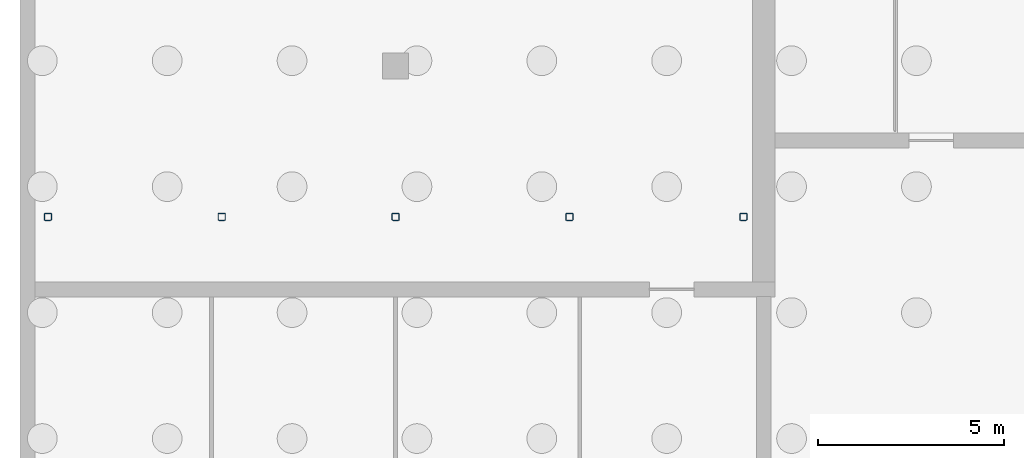
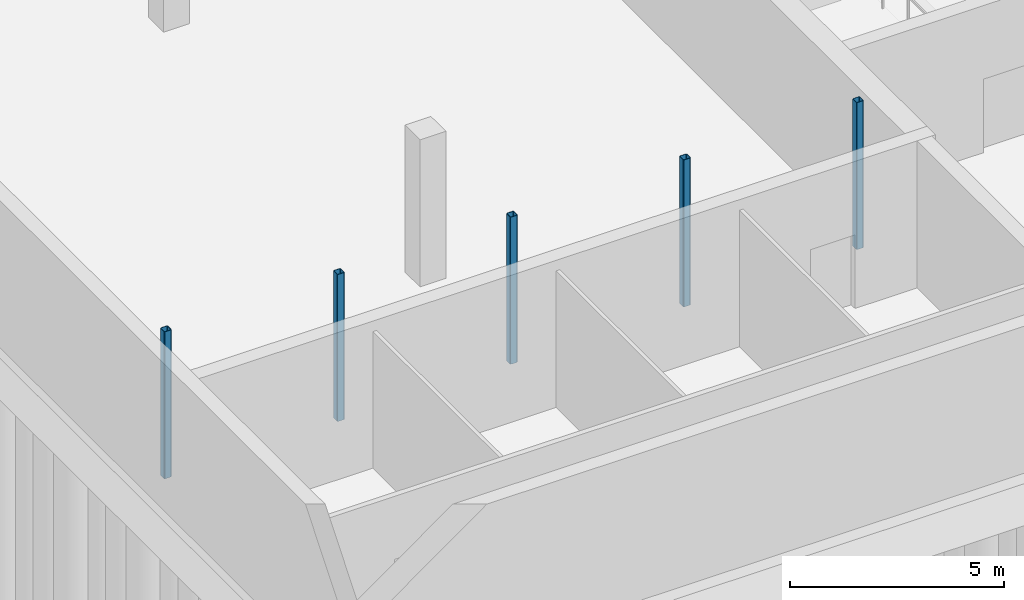
# One storey, part 3 of 32: 5 columns.
"""IFC4 building model written with IfcOpenShell, lengths in metres."""

import ifcopenshell
import ifcopenshell.guid

model = None  # the IFC model being written
_history = None  # IfcOwnerHistory: only IFC2X3 demands one
_inside = {}  # id of a spatial element -> (the spatial element, [elements in it])
_under = {}  # id of a project, library or spatial element -> (it, [spatial elements below it])
_declared = {}  # id of a project -> (the project, [libraries it declares])
_typed = {}  # id of a type object -> (the type object, [elements of that type])
_made_of = {}  # id of a material, layer set ... -> (it, [elements and type objects made of it])


def new_model(schema):
    """Start an empty IFC model of exactly this schema.

    Asked for "IFC4X3", IfcOpenShell would pick the latest addendum, in which some entities
    have other attributes; the version numbers below select the first issue.
    IFC2X3 requires an IfcOwnerHistory on every rooted entity: one is made here for all.
    """
    global model, _history
    if schema == "IFC4X3":
        model = ifcopenshell.file(schema_version=(4, 3, 0, 0))
    else:
        model = ifcopenshell.file(schema=schema)
    _inside.clear()
    _under.clear()
    _declared.clear()
    _typed.clear()
    _made_of.clear()
    _history = None
    if model.schema == "IFC2X3":
        org = make("IfcOrganization", Name="unknown")
        user = make(
            "IfcPersonAndOrganization",
            ThePerson=make("IfcPerson", FamilyName="unknown"),
            TheOrganization=org,
        )
        app = make(
            "IfcApplication",
            ApplicationDeveloper=org,
            Version="unknown",
            ApplicationFullName="unknown",
            ApplicationIdentifier="unknown",
        )
        _history = make(
            "IfcOwnerHistory",
            OwningUser=user,
            OwningApplication=app,
            ChangeAction="ADDED",
            CreationDate=0,
        )
    return model


def make(cls, **values):
    """One entity of the class cls with the attributes given. An attribute that is None is left unset."""
    return model.create_entity(
        cls, **{name: value for name, value in values.items() if value is not None}
    )


def rooted(cls, **values):
    """An entity with a GlobalId (a new one), such as an element, a storey or a relation."""
    return make(cls, GlobalId=ifcopenshell.guid.new(), OwnerHistory=_history, **values)


def si_unit(unit_type, name, prefix=None):
    """IfcSIUnit, for example si_unit("LENGTHUNIT", "METRE", prefix="MILLI")."""
    return make("IfcSIUnit", UnitType=unit_type, Prefix=prefix, Name=name)


def assignment(units):
    """IfcUnitAssignment: the units of a project."""
    return None if units is None else make("IfcUnitAssignment", Units=units)


def point(xyz):
    """IfcCartesianPoint."""
    return None if xyz is None else make("IfcCartesianPoint", Coordinates=xyz)


def direction(xyz):
    """IfcDirection."""
    return None if xyz is None else make("IfcDirection", DirectionRatios=xyz)


def frame(location, z_axis=None, x_axis=None):
    """IfcAxis2Placement3D, a coordinate frame: its origin and axes. An axis left out is left unset."""
    return make(
        "IfcAxis2Placement3D",
        Location=point(location),
        Axis=direction(z_axis),
        RefDirection=direction(x_axis),
    )


def frame_2d(location, x_axis=None):
    """IfcAxis2Placement2D, a coordinate frame in the plane: its origin and x axis."""
    return make(
        "IfcAxis2Placement2D", Location=point(location), RefDirection=direction(x_axis)
    )


def origin():
    """The frame at (0, 0, 0) with its axes left unset."""
    return frame((0.0, 0.0, 0.0))


def origin_2d():
    """The frame at (0, 0) in the plane with its x axis left unset."""
    return frame_2d((0.0, 0.0))


def place(relative_to, where):
    """IfcLocalPlacement: puts the frame where relative to a parent placement (None: the world)."""
    return make(
        "IfcLocalPlacement", PlacementRelTo=relative_to, RelativePlacement=where
    )


def context(
    kind, dimensions, precision=None, world=None, true_north=None, identifier=None
):
    """IfcGeometricRepresentationContext, for example the 3D "Model" context."""
    return make(
        "IfcGeometricRepresentationContext",
        ContextIdentifier=identifier,
        ContextType=kind,
        CoordinateSpaceDimension=dimensions,
        Precision=precision,
        WorldCoordinateSystem=world,
        TrueNorth=true_north,
    )


def subcontext(parent, identifier, kind, view, scale=None):
    """IfcGeometricRepresentationSubContext, for example "Body" below "Model"."""
    return make(
        "IfcGeometricRepresentationSubContext",
        ContextIdentifier=identifier,
        ContextType=kind,
        ParentContext=parent,
        TargetScale=scale,
        TargetView=view,
    )


def project(units=None, contexts=None):
    """IfcProject with its units and contexts."""
    return rooted(
        "IfcProject",
        Name="project",
        RepresentationContexts=contexts,
        UnitsInContext=assignment(units),
    )


def spatial(cls, under=None, at=None, **own):
    """A site, building, storey or space (cls), placed at a placement, below another one or the project."""
    s = rooted(cls, ObjectPlacement=at, **own)
    if under is not None:
        _under.setdefault(under.id(), (under, []))[1].append(s)
    return s


def profile(cls, at=None, kind="AREA", **sizes):
    """A parametric profile (cls). Its sizes go by their IFC names, for example OverallWidth=200.0."""
    return make(cls, ProfileType=kind, Position=at, **sizes)


def hollow_rectangle(**sizes):
    """IfcRectangleHollowProfileDef."""
    return profile("IfcRectangleHollowProfileDef", **sizes)


def extrude(swept, where, along, depth):
    """IfcExtrudedAreaSolid: the profile swept, set in the frame where, extruded along a direction by depth."""
    return make(
        "IfcExtrudedAreaSolid",
        SweptArea=swept,
        Position=where,
        ExtrudedDirection=direction(along),
        Depth=depth,
    )


def shape(context_of_items, identifier, shape_type, items):
    """IfcShapeRepresentation: the items that make up one representation, for example the "Body"."""
    return make(
        "IfcShapeRepresentation",
        ContextOfItems=context_of_items,
        RepresentationIdentifier=identifier,
        RepresentationType=shape_type,
        Items=items,
    )


def material(Name=None, Category=None):
    """IfcMaterial."""
    return make("IfcMaterial", Name=Name, Category=Category)


def material_profile(
    of_material, cross_section, Name=None, Category=None, Priority=None
):
    """IfcMaterialProfile: a cross section and its material."""
    return make(
        "IfcMaterialProfile",
        Name=Name,
        Material=of_material,
        Profile=cross_section,
        Priority=Priority,
        Category=Category,
    )


def profile_set(profiles, Name=None, composite=None):
    """IfcMaterialProfileSet."""
    return make(
        "IfcMaterialProfileSet",
        Name=Name,
        MaterialProfiles=profiles,
        CompositeProfile=composite,
    )


def made_of(thing, what):
    """Note that an element or type object is made of a material, layer set ...; save() writes the relation."""
    if what is not None:
        _made_of.setdefault(what.id(), (what, []))[1].append(thing)
    return thing


def type_object(cls, material=None, **own):
    """A type object (cls), such as IfcWallType, which elements share."""
    return made_of(rooted(cls, **own), material)


def element(
    cls,
    number,
    at=None,
    inside=None,
    cuts=None,
    type_object=None,
    material=None,
    context=None,
    identifier="Body",
    shape_type=None,
    held_by="IfcProductDefinitionShape",
    body=None,
    shapes=None,
    **own,
):
    """One element of the class cls, such as IfcWall. Its Tag is "e" and its number.

    at: its placement. inside: the storey or other place that contains it. cuts: it is an
    opening in that element (IfcRelVoidsElement). A single representation is given by context,
    identifier, shape_type and body (its items); several are given by shapes. held_by: the class
    of the entity that holds the representations. save() writes the other relations.
    """
    e = rooted(cls, Tag="e%d" % number, ObjectPlacement=at, **own)
    if body is not None:
        shapes = [shape(context, identifier, shape_type, body)]
    if shapes is not None:
        e.Representation = make(held_by, Representations=shapes)
    if inside is not None:
        _inside.setdefault(inside.id(), (inside, []))[1].append(e)
    if cuts is not None:
        rooted(
            "IfcRelVoidsElement", RelatingBuildingElement=cuts, RelatedOpeningElement=e
        )
    if type_object is not None:
        _typed.setdefault(type_object.id(), (type_object, []))[1].append(e)
    return made_of(e, material)


def aggregate(whole, parts):
    """IfcRelAggregates: a whole, such as a stair, and the parts it consists of."""
    return rooted("IfcRelAggregates", RelatingObject=whole, RelatedObjects=parts)


def save(model, path):
    """Write the relations noted so far, then the file.

    IfcRelAggregates (storeys below a building ...), IfcRelContainedInSpatialStructure (elements
    in a storey), IfcRelDefinesByType, IfcRelAssociatesMaterial and IfcRelDeclares: one each for
    every whole, place, type object, material and project.
    """
    for whole, parts in _under.values():
        aggregate(whole, parts)
    for where, things in _inside.values():
        rooted(
            "IfcRelContainedInSpatialStructure",
            RelatedElements=things,
            RelatingStructure=where,
        )
    for kind, things in _typed.values():
        rooted("IfcRelDefinesByType", RelatedObjects=things, RelatingType=kind)
    for what, things in _made_of.values():
        rooted("IfcRelAssociatesMaterial", RelatedObjects=things, RelatingMaterial=what)
    for by, libraries in _declared.values():
        rooted("IfcRelDeclares", RelatingContext=by, RelatedDefinitions=libraries)
    model.write(path)


model = new_model("IFC4")

# Units and contexts
model_context = context("Model", 3, precision=1e-05, world=origin(), true_north=direction((0.0, 1.0)))
body_context = subcontext(model_context, "Body", "Model", "MODEL_VIEW")
ifc_project = project(units=[si_unit("LENGTHUNIT", "METRE"), si_unit("AREAUNIT", "SQUARE_METRE"), si_unit("VOLUMEUNIT", "CUBIC_METRE"), si_unit("PLANEANGLEUNIT", "RADIAN"), si_unit("MASSUNIT", "GRAM", prefix="KILO")], contexts=[model_context])

# Site, building, storey
site_placement = place(None, origin())
site = spatial("IfcSite", under=ifc_project, at=site_placement, CompositionType="ELEMENT")
building_placement = place(site_placement, origin())
building = spatial("IfcBuilding", under=site, at=building_placement, Name="Noorbagh Ring Tower", CompositionType="ELEMENT")
storey_placement = place(building_placement, frame((0.0, 0.0, -4.199951171875)))
storey = spatial("IfcBuildingStorey", under=building, at=storey_placement, Name="B1", CompositionType="ELEMENT", Elevation=-4.199951171875)

# Columns
ifc_material = material(Name="Steel S355", Category="steel")
ifc_material_profile = material_profile(ifc_material, hollow_rectangle(XDim=0.199951171875, YDim=0.199951171875, WallThickness=0.012451171875, InnerFilletRadius=0.012451171875, OuterFilletRadius=0.03125, at=origin_2d()), Name="SHS200x200x12.5")
ifc_profile_set = profile_set([ifc_material_profile], Name="Steel S355")
column_type = type_object("IfcColumnType", Name="TH-COL-POST", PredefinedType="COLUMN", material=ifc_profile_set)
for number, where, z_axis, x_axis, name in (
    (1, (-159.25, -11.050048828125, 0.0), (0.0, 0.0, 1.0), (1.0, 0.0, 0.0), "B1/th-col/gal-S0"),
    (2, (-154.574951171875, -11.050048828125, 0.0), (0.0, 0.0, 1.0), (1.0, 0.0, 0.0), "B1/th-col/gal-S1"),
    (3, (-149.89990234375, -11.050048828125, 0.0), (0.0, 0.0, 1.0), (1.0, 0.0, 0.0), "B1/th-col/gal-S2"),
    (4, (-145.22509765625, -11.050048828125, 0.0), (0.0, 0.0, 1.0), (1.0, 0.0, 0.0), "B1/th-col/gal-S3"),
    (5, (-140.550048828125, -11.050048828125, 0.0), (0.0, 0.0, 1.0), (1.0, 0.0, 0.0), "B1/th-col/gal-S4"),
):
    element("IfcColumn", number, at=place(storey_placement, frame(where, z_axis=z_axis, x_axis=x_axis)), inside=storey, type_object=column_type, Name=name, PredefinedType="COLUMN", context=body_context, shape_type="SweptSolid", body=[
        extrude(hollow_rectangle(XDim=0.199951171875, YDim=0.199951171875, WallThickness=0.012451171875, InnerFilletRadius=0.012451171875, OuterFilletRadius=0.03125, at=origin_2d()), origin(), (0.0, 0.0, 1.0), 4.199951171875),
    ])

save(model, "model.ifc")
